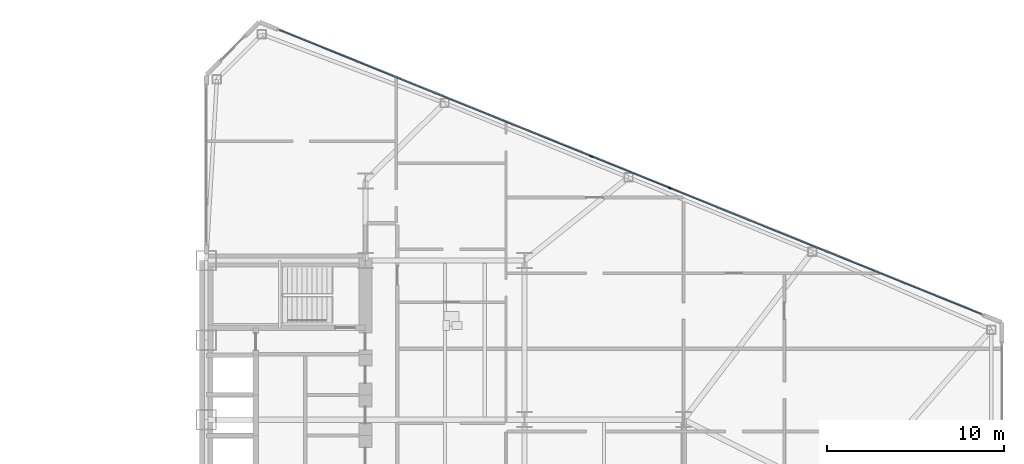
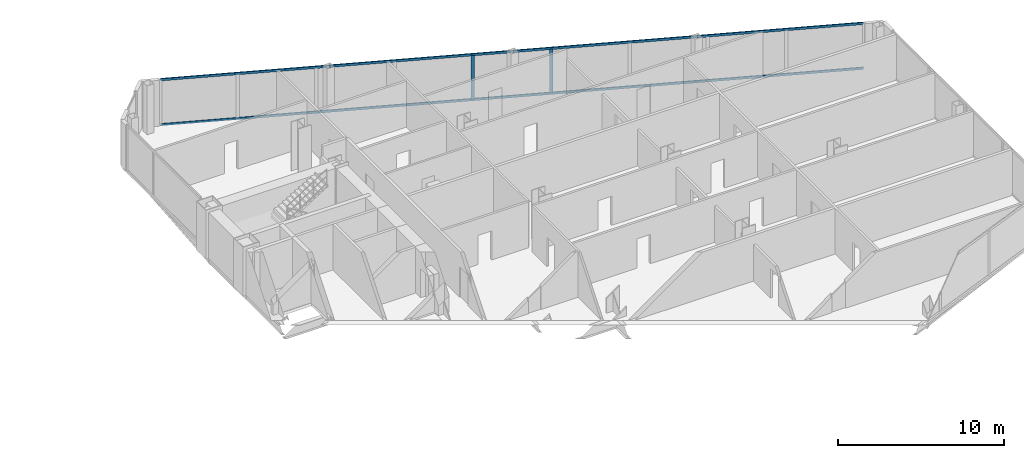
# One storey, part 12 of 25: 4 members, 1 element without a shape of its own.
"""IFC4 building model written with IfcOpenShell, lengths in metres."""

import ifcopenshell
import ifcopenshell.guid

model = None  # the IFC model being written
_history = None  # IfcOwnerHistory: only IFC2X3 demands one
_inside = {}  # id of a spatial element -> (the spatial element, [elements in it])
_under = {}  # id of a project, library or spatial element -> (it, [spatial elements below it])
_declared = {}  # id of a project -> (the project, [libraries it declares])
_typed = {}  # id of a type object -> (the type object, [elements of that type])
_made_of = {}  # id of a material, layer set ... -> (it, [elements and type objects made of it])


def new_model(schema):
    """Start an empty IFC model of exactly this schema.

    Asked for "IFC4X3", IfcOpenShell would pick the latest addendum, in which some entities
    have other attributes; the version numbers below select the first issue.
    IFC2X3 requires an IfcOwnerHistory on every rooted entity: one is made here for all.
    """
    global model, _history
    if schema == "IFC4X3":
        model = ifcopenshell.file(schema_version=(4, 3, 0, 0))
    else:
        model = ifcopenshell.file(schema=schema)
    _inside.clear()
    _under.clear()
    _declared.clear()
    _typed.clear()
    _made_of.clear()
    _history = None
    if model.schema == "IFC2X3":
        org = make("IfcOrganization", Name="unknown")
        user = make(
            "IfcPersonAndOrganization",
            ThePerson=make("IfcPerson", FamilyName="unknown"),
            TheOrganization=org,
        )
        app = make(
            "IfcApplication",
            ApplicationDeveloper=org,
            Version="unknown",
            ApplicationFullName="unknown",
            ApplicationIdentifier="unknown",
        )
        _history = make(
            "IfcOwnerHistory",
            OwningUser=user,
            OwningApplication=app,
            ChangeAction="ADDED",
            CreationDate=0,
        )
    return model


def make(cls, **values):
    """One entity of the class cls with the attributes given. An attribute that is None is left unset."""
    return model.create_entity(
        cls, **{name: value for name, value in values.items() if value is not None}
    )


def rooted(cls, **values):
    """An entity with a GlobalId (a new one), such as an element, a storey or a relation."""
    return make(cls, GlobalId=ifcopenshell.guid.new(), OwnerHistory=_history, **values)


def si_unit(unit_type, name, prefix=None):
    """IfcSIUnit, for example si_unit("LENGTHUNIT", "METRE", prefix="MILLI")."""
    return make("IfcSIUnit", UnitType=unit_type, Prefix=prefix, Name=name)


def assignment(units):
    """IfcUnitAssignment: the units of a project."""
    return None if units is None else make("IfcUnitAssignment", Units=units)


def point(xyz):
    """IfcCartesianPoint."""
    return None if xyz is None else make("IfcCartesianPoint", Coordinates=xyz)


def direction(xyz):
    """IfcDirection."""
    return None if xyz is None else make("IfcDirection", DirectionRatios=xyz)


def frame(location, z_axis=None, x_axis=None):
    """IfcAxis2Placement3D, a coordinate frame: its origin and axes. An axis left out is left unset."""
    return make(
        "IfcAxis2Placement3D",
        Location=point(location),
        Axis=direction(z_axis),
        RefDirection=direction(x_axis),
    )


def frame_2d(location, x_axis=None):
    """IfcAxis2Placement2D, a coordinate frame in the plane: its origin and x axis."""
    return make(
        "IfcAxis2Placement2D", Location=point(location), RefDirection=direction(x_axis)
    )


def origin():
    """The frame at (0, 0, 0) with its axes left unset."""
    return frame((0.0, 0.0, 0.0))


def origin_2d():
    """The frame at (0, 0) in the plane with its x axis left unset."""
    return frame_2d((0.0, 0.0))


def place(relative_to, where):
    """IfcLocalPlacement: puts the frame where relative to a parent placement (None: the world)."""
    return make(
        "IfcLocalPlacement", PlacementRelTo=relative_to, RelativePlacement=where
    )


def context(
    kind, dimensions, precision=None, world=None, true_north=None, identifier=None
):
    """IfcGeometricRepresentationContext, for example the 3D "Model" context."""
    return make(
        "IfcGeometricRepresentationContext",
        ContextIdentifier=identifier,
        ContextType=kind,
        CoordinateSpaceDimension=dimensions,
        Precision=precision,
        WorldCoordinateSystem=world,
        TrueNorth=true_north,
    )


def subcontext(parent, identifier, kind, view, scale=None):
    """IfcGeometricRepresentationSubContext, for example "Body" below "Model"."""
    return make(
        "IfcGeometricRepresentationSubContext",
        ContextIdentifier=identifier,
        ContextType=kind,
        ParentContext=parent,
        TargetScale=scale,
        TargetView=view,
    )


def project(units=None, contexts=None):
    """IfcProject with its units and contexts."""
    return rooted(
        "IfcProject",
        Name="project",
        RepresentationContexts=contexts,
        UnitsInContext=assignment(units),
    )


def spatial(cls, under=None, at=None, **own):
    """A site, building, storey or space (cls), placed at a placement, below another one or the project."""
    s = rooted(cls, ObjectPlacement=at, **own)
    if under is not None:
        _under.setdefault(under.id(), (under, []))[1].append(s)
    return s


def profile(cls, at=None, kind="AREA", **sizes):
    """A parametric profile (cls). Its sizes go by their IFC names, for example OverallWidth=200.0."""
    return make(cls, ProfileType=kind, Position=at, **sizes)


def rectangle(**sizes):
    """IfcRectangleProfileDef."""
    return profile("IfcRectangleProfileDef", **sizes)


def extrude(swept, where, along, depth):
    """IfcExtrudedAreaSolid: the profile swept, set in the frame where, extruded along a direction by depth."""
    return make(
        "IfcExtrudedAreaSolid",
        SweptArea=swept,
        Position=where,
        ExtrudedDirection=direction(along),
        Depth=depth,
    )


def shape(context_of_items, identifier, shape_type, items):
    """IfcShapeRepresentation: the items that make up one representation, for example the "Body"."""
    return make(
        "IfcShapeRepresentation",
        ContextOfItems=context_of_items,
        RepresentationIdentifier=identifier,
        RepresentationType=shape_type,
        Items=items,
    )


def source(mapping_origin, context_of_items, identifier, shape_type, items):
    """IfcRepresentationMap: a shape defined once, which mapped items show again and again."""
    return make(
        "IfcRepresentationMap",
        MappingOrigin=mapping_origin,
        MappedRepresentation=shape(context_of_items, identifier, shape_type, items),
    )


def transform(
    local_origin,
    x_axis=None,
    y_axis=None,
    z_axis=None,
    scale=None,
    scale2=None,
    scale3=None,
    uniform=True,
):
    """IfcCartesianTransformationOperator3D, or its non-uniform kind. x_axis, y_axis, z_axis: its Axis1, 2, 3."""
    if uniform:
        return make(
            "IfcCartesianTransformationOperator3D",
            Axis1=direction(x_axis),
            Axis2=direction(y_axis),
            LocalOrigin=point(local_origin),
            Scale=scale,
            Axis3=direction(z_axis),
        )
    return make(
        "IfcCartesianTransformationOperator3DnonUniform",
        Axis1=direction(x_axis),
        Axis2=direction(y_axis),
        LocalOrigin=point(local_origin),
        Scale=scale,
        Axis3=direction(z_axis),
        Scale2=scale2,
        Scale3=scale3,
    )


def mapped(mapping_source, mapping_target):
    """IfcMappedItem: shows the shape of a source again, moved by a transform."""
    return make(
        "IfcMappedItem", MappingSource=mapping_source, MappingTarget=mapping_target
    )


def material(Name=None, Category=None):
    """IfcMaterial."""
    return make("IfcMaterial", Name=Name, Category=Category)


def layer(
    of_material, thickness, ventilated=None, Name=None, Category=None, Priority=None
):
    """IfcMaterialLayer: one layer of a wall or slab, of a material (None: an air gap)."""
    return make(
        "IfcMaterialLayer",
        Material=of_material,
        LayerThickness=thickness,
        IsVentilated=ventilated,
        Name=Name,
        Category=Category,
        Priority=Priority,
    )


def layer_set(layers, Name=None):
    """IfcMaterialLayerSet."""
    return make("IfcMaterialLayerSet", MaterialLayers=layers, LayerSetName=Name)


def material_profile(
    of_material, cross_section, Name=None, Category=None, Priority=None
):
    """IfcMaterialProfile: a cross section and its material."""
    return make(
        "IfcMaterialProfile",
        Name=Name,
        Material=of_material,
        Profile=cross_section,
        Priority=Priority,
        Category=Category,
    )


def profile_set(profiles, Name=None, composite=None):
    """IfcMaterialProfileSet."""
    return make(
        "IfcMaterialProfileSet",
        Name=Name,
        MaterialProfiles=profiles,
        CompositeProfile=composite,
    )


def made_of(thing, what):
    """Note that an element or type object is made of a material, layer set ...; save() writes the relation."""
    if what is not None:
        _made_of.setdefault(what.id(), (what, []))[1].append(thing)
    return thing


def type_object(cls, material=None, **own):
    """A type object (cls), such as IfcWallType, which elements share."""
    return made_of(rooted(cls, **own), material)


def type_shapes(of_type, sources):
    """Give a type object the sources (RepresentationMaps) that its elements show as mapped items."""
    of_type.RepresentationMaps = sources


def element(
    cls,
    number,
    at=None,
    inside=None,
    cuts=None,
    type_object=None,
    material=None,
    context=None,
    identifier="Body",
    shape_type=None,
    held_by="IfcProductDefinitionShape",
    body=None,
    shapes=None,
    **own,
):
    """One element of the class cls, such as IfcWall. Its Tag is "e" and its number.

    at: its placement. inside: the storey or other place that contains it. cuts: it is an
    opening in that element (IfcRelVoidsElement). A single representation is given by context,
    identifier, shape_type and body (its items); several are given by shapes. held_by: the class
    of the entity that holds the representations. save() writes the other relations.
    """
    e = rooted(cls, Tag="e%d" % number, ObjectPlacement=at, **own)
    if body is not None:
        shapes = [shape(context, identifier, shape_type, body)]
    if shapes is not None:
        e.Representation = make(held_by, Representations=shapes)
    if inside is not None:
        _inside.setdefault(inside.id(), (inside, []))[1].append(e)
    if cuts is not None:
        rooted(
            "IfcRelVoidsElement", RelatingBuildingElement=cuts, RelatedOpeningElement=e
        )
    if type_object is not None:
        _typed.setdefault(type_object.id(), (type_object, []))[1].append(e)
    return made_of(e, material)


def aggregate(whole, parts):
    """IfcRelAggregates: a whole, such as a stair, and the parts it consists of."""
    return rooted("IfcRelAggregates", RelatingObject=whole, RelatedObjects=parts)


def save(model, path):
    """Write the relations noted so far, then the file.

    IfcRelAggregates (storeys below a building ...), IfcRelContainedInSpatialStructure (elements
    in a storey), IfcRelDefinesByType, IfcRelAssociatesMaterial and IfcRelDeclares: one each for
    every whole, place, type object, material and project.
    """
    for whole, parts in _under.values():
        aggregate(whole, parts)
    for where, things in _inside.values():
        rooted(
            "IfcRelContainedInSpatialStructure",
            RelatedElements=things,
            RelatingStructure=where,
        )
    for kind, things in _typed.values():
        rooted("IfcRelDefinesByType", RelatedObjects=things, RelatingType=kind)
    for what, things in _made_of.values():
        rooted("IfcRelAssociatesMaterial", RelatedObjects=things, RelatingMaterial=what)
    for by, libraries in _declared.values():
        rooted("IfcRelDeclares", RelatingContext=by, RelatedDefinitions=libraries)
    model.write(path)


model = new_model("IFC4")

# Units and contexts
model_context = context("Model", 3, precision=1e-05, world=origin(), true_north=direction((0.0, 1.0)))
body_context = subcontext(model_context, "Body", "Model", "MODEL_VIEW")
ifc_project = project(units=[si_unit("LENGTHUNIT", "METRE"), si_unit("AREAUNIT", "SQUARE_METRE"), si_unit("VOLUMEUNIT", "CUBIC_METRE"), si_unit("PLANEANGLEUNIT", "RADIAN"), si_unit("MASSUNIT", "GRAM", prefix="KILO")], contexts=[model_context])

# Site, building, storey
site_placement = place(None, origin())
site = spatial("IfcSite", under=ifc_project, at=site_placement, CompositionType="ELEMENT")
building_placement = place(site_placement, origin())
building = spatial("IfcBuilding", under=site, at=building_placement, Name="Seokmaru Belvedere", CompositionType="ELEMENT")
storey_placement = place(building_placement, frame((0.0, 0.0, 54.89990234375)))
storey = spatial("IfcBuildingStorey", under=building, at=storey_placement, Name="L14", CompositionType="ELEMENT", Elevation=54.89990234375)

# Curtain wall, members
ifc_material_1 = material(Name="Bronze Triple Insulating Glass", Category="glass")
ifc_layer = layer(ifc_material_1, 0.2099609375)
ifc_layer_set = layer_set([ifc_layer], Name="Bronze Triple Insulating Glass")
curtain_wall_type = type_object("IfcCurtainWallType", Name="Low-Rise Faceted Crystal Curtain Wall System CW-2", PredefinedType="NOTDEFINED", material=ifc_layer_set)
curtain_wall_placement = place(storey_placement, origin())
curtain_wall = element("IfcCurtainWall", 1, at=curtain_wall_placement, inside=storey, type_object=curtain_wall_type, Name="L14 Curtain Wall EF3", PredefinedType="NOTDEFINED")
ifc_material_2 = material(Name="Anodised Bronze Aluminium", Category="aluminium")
ifc_material_profile_1 = material_profile(ifc_material_2, rectangle(XDim=0.074951171875, YDim=0.2099609375, at=origin_2d()), Name="CW-M-75x210")
ifc_profile_set_1 = profile_set([ifc_material_profile_1], Name="Anodised Bronze Aluminium")
member_type_1 = type_object("IfcMemberType", Name="Bronze Unitised Mullion 75x210", PredefinedType="MULLION", material=ifc_profile_set_1)
shared_shape_1 = source(origin(), body_context, "Body", "SweptSolid", [
    extrude(rectangle(XDim=0.074951171875, YDim=0.2099609375, at=origin_2d()), origin(), (0.0, 0.0, 1.0), 3.239990234375),
])
type_shapes(member_type_1, [shared_shape_1])
member_1_placement = place(storey_placement, frame((53.71484375, 17.603515625, 0.070068359375), z_axis=(0.0, 0.0, 1.0), x_axis=(-0.375192321888, -0.926946989637, 0.0)))
member_1 = element("IfcMember", 2, at=member_1_placement, type_object=member_type_1, Name="CW:L14:EF3 Mullion 5", PredefinedType="MULLION", context=body_context, shape_type="MappedRepresentation", body=[
    mapped(shared_shape_1, transform((0.0, 0.0, 0.0), scale=1.0)),
])
member_2_placement = place(storey_placement, frame((49.28515625, 19.396484375, 0.070068359375), z_axis=(0.0, 0.0, 1.0), x_axis=(-0.375192321888, -0.926946989637, 0.0)))
member_2 = element("IfcMember", 3, at=member_2_placement, type_object=member_type_1, Name="CW:L14:EF3 Mullion 6", PredefinedType="MULLION", context=body_context, shape_type="MappedRepresentation", body=[
    mapped(shared_shape_1, transform((0.0, 0.0, 0.0), scale=1.0)),
])
ifc_material_profile_2 = material_profile(ifc_material_2, rectangle(XDim=0.070068359375, YDim=0.1650390625, at=origin_2d()), Name="CW-T-70x165")
ifc_profile_set_2 = profile_set([ifc_material_profile_2], Name="Anodised Bronze Aluminium")
member_type_2 = type_object("IfcMemberType", Name="Bronze Unitised Transom 70x165", PredefinedType="USERDEFINED", material=ifc_profile_set_2)
shared_shape_2 = source(origin(), body_context, "Body", "SweptSolid", [
    extrude(rectangle(XDim=0.070068359375, YDim=0.1650390625, at=origin_2d()), origin(), (0.0, 0.0, 1.0), 42.860107421875),
])
type_shapes(member_type_2, [shared_shape_2])
member_3_placement = place(storey_placement, frame((71.364501953125, 10.459716796875, 0.03515625), z_axis=(-0.926948605599, 0.375188329481, 0.0), x_axis=(-0.375188329481, -0.926948605599, 0.0)))
member_3 = element("IfcMember", 4, at=member_3_placement, type_object=member_type_2, Name="CW:L14:EF3 Continuous Transom 1", ObjectType="TRANSOM", PredefinedType="USERDEFINED", context=body_context, shape_type="MappedRepresentation", body=[
    mapped(shared_shape_2, transform((0.0, 0.0, 0.0), scale=1.0)),
])
member_4_placement = place(storey_placement, frame((71.364501953125, 10.459716796875, 3.34521484375), z_axis=(-0.926948605599, 0.375188329481, 0.0), x_axis=(-0.375188329481, -0.926948605599, 0.0)))
member_4 = element("IfcMember", 5, at=member_4_placement, type_object=member_type_2, Name="CW:L14:EF3 Continuous Transom 2", ObjectType="TRANSOM", PredefinedType="USERDEFINED", context=body_context, shape_type="MappedRepresentation", body=[
    mapped(shared_shape_2, transform((0.0, 0.0, 0.0), scale=1.0)),
])
aggregate(curtain_wall, [member_1, member_2, member_3, member_4])

save(model, "model.ifc")
